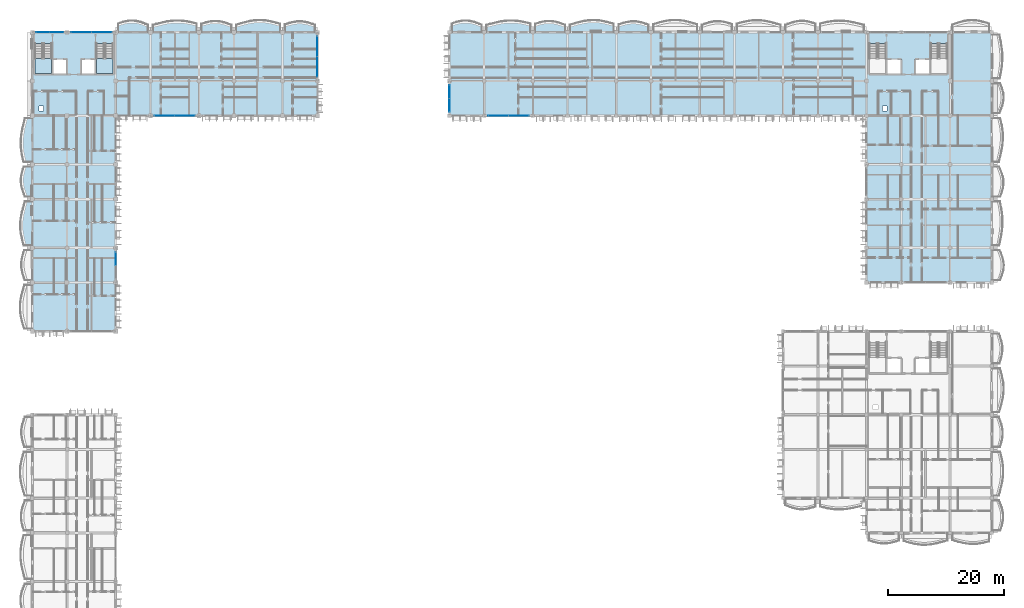
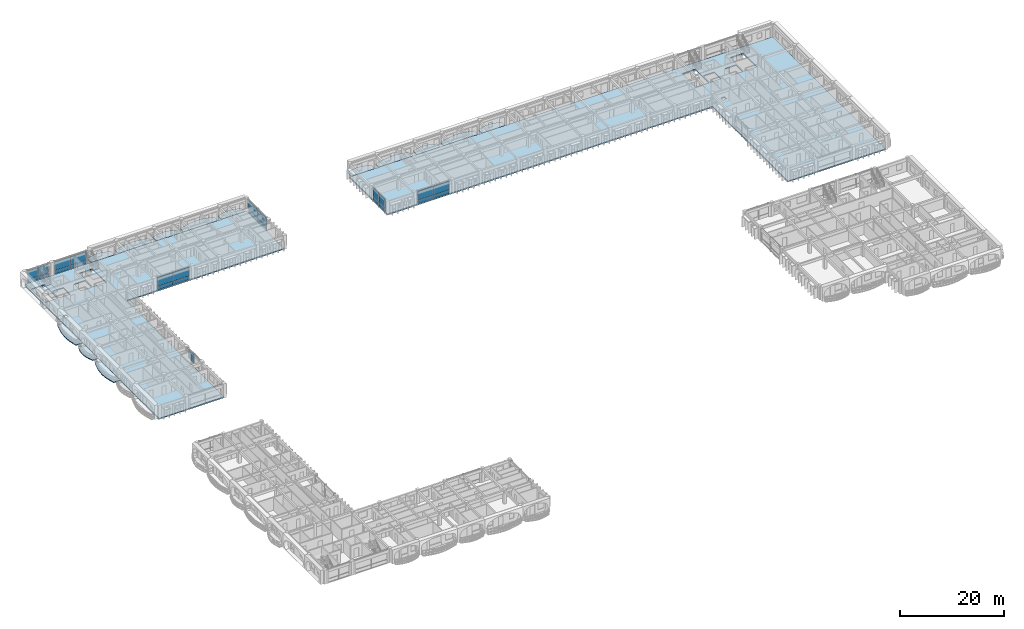
# One storey, part 22 of 79: 25 plates, 17 slabs, 9 elements without a shape of their own.
"""IFC4 building model written with IfcOpenShell, lengths in metres."""

from ifc_helpers import new_model, si_unit, direction, frame, origin, origin_2d, place, context, subcontext, project, spatial, polyline, rectangle, outline, extrude, material, layer, layer_set, type_object, element, aggregate, save


model = new_model("IFC4")

# Units and contexts
model_context = context("Model", 3, precision=1e-05, world=origin(), true_north=direction((0.0, 1.0)))
body_context = subcontext(model_context, "Body", "Model", "MODEL_VIEW")
ifc_project = project(units=[si_unit("LENGTHUNIT", "METRE"), si_unit("AREAUNIT", "SQUARE_METRE"), si_unit("VOLUMEUNIT", "CUBIC_METRE"), si_unit("PLANEANGLEUNIT", "RADIAN"), si_unit("MASSUNIT", "GRAM", prefix="KILO"), si_unit("THERMODYNAMICTEMPERATUREUNIT", "KELVIN")], contexts=[model_context])

# Site, building, storey
site_placement = place(None, origin())
site = spatial("IfcSite", under=ifc_project, at=site_placement, CompositionType="ELEMENT")
building_placement = place(site_placement, origin())
building = spatial("IfcBuilding", under=site, at=building_placement, Name="Thalorik Housing Commons", CompositionType="ELEMENT")
storey_placement = place(building_placement, frame((0.0, 0.0, 11.39990234375)))
storey = spatial("IfcBuildingStorey", under=building, at=storey_placement, Name="L03", CompositionType="ELEMENT", Elevation=11.39990234375)

# Curtain wall, plates
ifc_material_1 = material(Name="Anodised aluminium and solar-control low-E glass", Category="aluminium")
curtain_wall_type_1 = type_object("IfcCurtainWallType", Name="ARC-CW-LOUNGE", PredefinedType="USERDEFINED", material=ifc_material_1)
curtain_wall_1_placement = place(storey_placement, origin())
curtain_wall_1 = element("IfcCurtainWall", 1, at=curtain_wall_1_placement, inside=storey, type_object=curtain_wall_type_1, Name="L03 Curtain Wall CW-RES-L03-A-012", ObjectType="CURTAIN WALL", PredefinedType="USERDEFINED")
ifc_material_2 = material(Name="Cobalt blue enamelled aluminium spandrel panel", Category="aluminium")
ifc_layer_1 = layer(ifc_material_2, 0.0458984375, Name="Cobalt blue enamelled aluminium spandrel panel", Category="aluminium")
ifc_layer_set_1 = layer_set([ifc_layer_1], Name="Cobalt blue enamelled aluminium spandrel panel")
plate_type_1 = type_object("IfcPlateType", Name="ARC-CP-BLU-46", PredefinedType="CURTAIN_PANEL", material=ifc_layer_set_1)
plate_1_placement = place(storey_placement, frame((57.60009765625, 117.64990234375, 0.080078125), z_axis=(0.0, 0.0, 1.0), x_axis=(0.0, 1.0, 0.0)))
plate_1 = element("IfcPlate", 2, at=plate_1_placement, type_object=plate_type_1, Name="CW-RES-L03-A-012 Spandrel Panel 1", PredefinedType="CURTAIN_PANEL", context=body_context, shape_type="SweptSolid", body=[
    extrude(rectangle(XDim=3.43994140625, YDim=0.0458984375, at=origin_2d()), origin(), (0.0, 0.0, 1.0), 0.760009765625),
])
plate_2_placement = place(storey_placement, frame((57.60009765625, 121.14990234375, 0.080078125), z_axis=(0.0, 0.0, 1.0), x_axis=(0.0, 1.0, 0.0)))
plate_2 = element("IfcPlate", 3, at=plate_2_placement, type_object=plate_type_1, Name="CW-RES-L03-A-012 Spandrel Panel 2", PredefinedType="CURTAIN_PANEL", context=body_context, shape_type="SweptSolid", body=[
    extrude(rectangle(XDim=3.43994140625, YDim=0.0458984375, at=origin_2d()), origin(), (0.0, 0.0, 1.0), 0.760009765625),
])

curtain_wall_type_2 = type_object("IfcCurtainWallType", Name="ARC-CW-CORE", PredefinedType="USERDEFINED", material=ifc_material_1)
curtain_wall_2_placement = place(storey_placement, origin())
curtain_wall_2 = element("IfcCurtainWall", 4, at=curtain_wall_2_placement, inside=storey, type_object=curtain_wall_type_2, Name="L03 Curtain Wall CW-CORE-L03-A-014", ObjectType="CURTAIN WALL", PredefinedType="USERDEFINED")
plate_3_placement = place(storey_placement, frame((20.375, 123.60009765625, 0.080078125), z_axis=(0.0, 0.0, 1.0), x_axis=(-1.0, 0.0, 0.0)))
plate_3 = element("IfcPlate", 5, at=plate_3_placement, type_object=plate_type_1, Name="CW-CORE-L03-A-014 Spandrel Panel 1", PredefinedType="CURTAIN_PANEL", context=body_context, shape_type="SweptSolid", body=[
    extrude(rectangle(XDim=3.489990234375, YDim=0.0458984375, at=origin_2d()), origin(), (0.0, 0.0, 1.0), 0.760009765625),
])
plate_4_placement = place(storey_placement, frame((16.824951171875, 123.60009765625, 0.080078125), z_axis=(0.0, 0.0, 1.0), x_axis=(-1.0, 0.0, 0.0)))
plate_4 = element("IfcPlate", 6, at=plate_4_placement, type_object=plate_type_1, Name="CW-CORE-L03-A-014 Spandrel Panel 2", PredefinedType="CURTAIN_PANEL", context=body_context, shape_type="SweptSolid", body=[
    extrude(rectangle(XDim=3.489990234375, YDim=0.0458984375, at=origin_2d()), origin(), (0.0, 0.0, 1.0), 0.760009765625),
])

curtain_wall_3_placement = place(storey_placement, origin())
curtain_wall_3 = element("IfcCurtainWall", 7, at=curtain_wall_3_placement, inside=storey, type_object=curtain_wall_type_1, Name="L03 Curtain Wall CW-RES-L03-B-084", ObjectType="CURTAIN WALL", PredefinedType="USERDEFINED")
plate_5_placement = place(storey_placement, frame((80.39990234375, 113.35009765625, 0.080078125), z_axis=(0.0, 0.0, 1.0), x_axis=(0.0, -1.0, 0.0)))
plate_5 = element("IfcPlate", 8, at=plate_5_placement, type_object=plate_type_1, Name="CW-RES-L03-B-084 Spandrel Panel 1", PredefinedType="CURTAIN_PANEL", context=body_context, shape_type="SweptSolid", body=[
    extrude(rectangle(XDim=2.239990234375, YDim=0.0458984375, at=origin_2d()), origin(), (0.0, 0.0, 1.0), 0.760009765625),
])
plate_6_placement = place(storey_placement, frame((80.39990234375, 111.050048828125, 0.080078125), z_axis=(0.0, 0.0, 1.0), x_axis=(0.0, -1.0, 0.0)))
plate_6 = element("IfcPlate", 9, at=plate_6_placement, type_object=plate_type_1, Name="CW-RES-L03-B-084 Spandrel Panel 2", PredefinedType="CURTAIN_PANEL", context=body_context, shape_type="SweptSolid", body=[
    extrude(rectangle(XDim=2.239990234375, YDim=0.0458984375, at=origin_2d()), origin(), (0.0, 0.0, 1.0), 0.760009765625),
])

curtain_wall_4_placement = place(storey_placement, origin())
curtain_wall_4 = element("IfcCurtainWall", 10, at=curtain_wall_4_placement, inside=storey, type_object=curtain_wall_type_1, Name="L03 Curtain Wall CW-RES-L03-A-011", ObjectType="CURTAIN WALL", PredefinedType="USERDEFINED")
ifc_material_3 = material(Name="Double solar-control low-E glass", Category="glass")
ifc_layer_2 = layer(ifc_material_3, 0.028076171875, Name="Double solar-control low-E glass", Category="glass")
ifc_layer_set_2 = layer_set([ifc_layer_2], Name="Double solar-control low-E glass")
plate_type_2 = type_object("IfcPlateType", Name="ARC-CP-GLZ-28", PredefinedType="CURTAIN_PANEL", material=ifc_layer_set_2)
plate_7_placement = place(storey_placement, frame((31.25, 109.199951171875, 0.920166015625), z_axis=(0.0, 0.0, 1.0), x_axis=(1.0, 0.0, 0.0)))
plate_7 = element("IfcPlate", 11, at=plate_7_placement, type_object=plate_type_2, Name="CW-RES-L03-A-011 Vision Panel 1", PredefinedType="CURTAIN_PANEL", context=body_context, shape_type="SweptSolid", body=[
    extrude(rectangle(XDim=3.43994140625, YDim=0.028076171875, at=origin_2d()), origin(), (0.0, 0.0, 1.0), 2.0400390625),
])
plate_8_placement = place(storey_placement, frame((34.75, 109.199951171875, 0.920166015625), z_axis=(0.0, 0.0, 1.0), x_axis=(1.0, 0.0, 0.0)))
plate_8 = element("IfcPlate", 12, at=plate_8_placement, type_object=plate_type_2, Name="CW-RES-L03-A-011 Vision Panel 2", PredefinedType="CURTAIN_PANEL", context=body_context, shape_type="SweptSolid", body=[
    extrude(rectangle(XDim=3.43994140625, YDim=0.028076171875, at=origin_2d()), origin(), (0.0, 0.0, 1.0), 2.0400390625),
])

# Plate
plate_9_placement = place(storey_placement, frame((57.60009765625, 117.64990234375, 0.920166015625), z_axis=(0.0, 0.0, 1.0), x_axis=(0.0, 1.0, 0.0)))
plate_9 = element("IfcPlate", 13, at=plate_9_placement, type_object=plate_type_2, Name="CW-RES-L03-A-012 Vision Panel 1", PredefinedType="CURTAIN_PANEL", context=body_context, shape_type="SweptSolid", body=[
    extrude(rectangle(XDim=3.43994140625, YDim=0.028076171875, at=origin_2d()), origin(), (0.0, 0.0, 1.0), 2.0400390625),
])

plate_10_placement = place(storey_placement, frame((57.60009765625, 121.14990234375, 0.920166015625), z_axis=(0.0, 0.0, 1.0), x_axis=(0.0, 1.0, 0.0)))
plate_10 = element("IfcPlate", 14, at=plate_10_placement, type_object=plate_type_2, Name="CW-RES-L03-A-012 Vision Panel 2", PredefinedType="CURTAIN_PANEL", context=body_context, shape_type="SweptSolid", body=[
    extrude(rectangle(XDim=3.43994140625, YDim=0.028076171875, at=origin_2d()), origin(), (0.0, 0.0, 1.0), 2.0400390625),
])

aggregate(curtain_wall_1, [plate_1, plate_9, plate_2, plate_10])

plate_11_placement = place(storey_placement, frame((20.375, 123.60009765625, 0.920166015625), z_axis=(0.0, 0.0, 1.0), x_axis=(-1.0, 0.0, 0.0)))
plate_11 = element("IfcPlate", 15, at=plate_11_placement, type_object=plate_type_2, Name="CW-CORE-L03-A-014 Vision Panel 1", PredefinedType="CURTAIN_PANEL", context=body_context, shape_type="SweptSolid", body=[
    extrude(rectangle(XDim=3.489990234375, YDim=0.028076171875, at=origin_2d()), origin(), (0.0, 0.0, 1.0), 2.0400390625),
])

plate_12_placement = place(storey_placement, frame((16.824951171875, 123.60009765625, 0.920166015625), z_axis=(0.0, 0.0, 1.0), x_axis=(-1.0, 0.0, 0.0)))
plate_12 = element("IfcPlate", 16, at=plate_12_placement, type_object=plate_type_2, Name="CW-CORE-L03-A-014 Vision Panel 2", PredefinedType="CURTAIN_PANEL", context=body_context, shape_type="SweptSolid", body=[
    extrude(rectangle(XDim=3.489990234375, YDim=0.028076171875, at=origin_2d()), origin(), (0.0, 0.0, 1.0), 2.0400390625),
])

aggregate(curtain_wall_2, [plate_3, plate_11, plate_4, plate_12])

# Curtain wall, plates
curtain_wall_5_placement = place(storey_placement, origin())
curtain_wall_5 = element("IfcCurtainWall", 17, at=curtain_wall_5_placement, inside=storey, type_object=curtain_wall_type_2, Name="L03 Curtain Wall CW-CORE-L03-A-015", ObjectType="CURTAIN WALL", PredefinedType="USERDEFINED")
plate_13_placement = place(storey_placement, frame((12.574951171875, 123.60009765625, 0.920166015625), z_axis=(0.0, 0.0, 1.0), x_axis=(-1.0, 0.0, 0.0)))
plate_13 = element("IfcPlate", 18, at=plate_13_placement, type_object=plate_type_2, Name="CW-CORE-L03-A-015 Vision Panel 1", PredefinedType="CURTAIN_PANEL", context=body_context, shape_type="SweptSolid", body=[
    extrude(rectangle(XDim=2.2900390625, YDim=0.028076171875, at=origin_2d()), origin(), (0.0, 0.0, 1.0), 2.0400390625),
])
plate_14_placement = place(storey_placement, frame((10.22509765625, 123.60009765625, 0.920166015625), z_axis=(0.0, 0.0, 1.0), x_axis=(-1.0, 0.0, 0.0)))
plate_14 = element("IfcPlate", 19, at=plate_14_placement, type_object=plate_type_2, Name="CW-CORE-L03-A-015 Vision Panel 2", PredefinedType="CURTAIN_PANEL", context=body_context, shape_type="SweptSolid", body=[
    extrude(rectangle(XDim=2.2900390625, YDim=0.028076171875, at=origin_2d()), origin(), (0.0, 0.0, 1.0), 2.0400390625),
])

# Curtain wall, plate
curtain_wall_6_placement = place(storey_placement, origin())
curtain_wall_6 = element("IfcCurtainWall", 20, at=curtain_wall_6_placement, inside=storey, type_object=curtain_wall_type_1, Name="L03 Curtain Wall CW-RES-L03-A-017", ObjectType="CURTAIN WALL", PredefinedType="USERDEFINED")
plate_15_placement = place(storey_placement, frame((22.800048828125, 84.550048828125, 0.920166015625), z_axis=(0.0, 0.0, 1.0), x_axis=(0.0, 1.0, 0.0)))
plate_15 = element("IfcPlate", 21, at=plate_15_placement, type_object=plate_type_2, Name="CW-RES-L03-A-017 Vision Panel 2", PredefinedType="CURTAIN_PANEL", context=body_context, shape_type="SweptSolid", body=[
    extrude(rectangle(XDim=2.239990234375, YDim=0.028076171875, at=origin_2d()), origin(), (0.0, 0.0, 1.0), 2.0400390625),
])
aggregate(curtain_wall_6, [plate_15])

# Plate
plate_16_placement = place(storey_placement, frame((80.39990234375, 113.35009765625, 0.920166015625), z_axis=(0.0, 0.0, 1.0), x_axis=(0.0, -1.0, 0.0)))
plate_16 = element("IfcPlate", 22, at=plate_16_placement, type_object=plate_type_2, Name="CW-RES-L03-B-084 Vision Panel 1", PredefinedType="CURTAIN_PANEL", context=body_context, shape_type="SweptSolid", body=[
    extrude(rectangle(XDim=2.239990234375, YDim=0.028076171875, at=origin_2d()), origin(), (0.0, 0.0, 1.0), 2.0400390625),
])

plate_17_placement = place(storey_placement, frame((80.39990234375, 111.050048828125, 0.920166015625), z_axis=(0.0, 0.0, 1.0), x_axis=(0.0, -1.0, 0.0)))
plate_17 = element("IfcPlate", 23, at=plate_17_placement, type_object=plate_type_2, Name="CW-RES-L03-B-084 Vision Panel 2", PredefinedType="CURTAIN_PANEL", context=body_context, shape_type="SweptSolid", body=[
    extrude(rectangle(XDim=2.239990234375, YDim=0.028076171875, at=origin_2d()), origin(), (0.0, 0.0, 1.0), 2.0400390625),
])

aggregate(curtain_wall_3, [plate_5, plate_16, plate_6, plate_17])

# Curtain wall, plates
curtain_wall_7_placement = place(storey_placement, origin())
curtain_wall_7 = element("IfcCurtainWall", 24, at=curtain_wall_7_placement, inside=storey, type_object=curtain_wall_type_1, Name="L03 Curtain Wall CW-RES-L03-B-085", ObjectType="CURTAIN WALL", PredefinedType="USERDEFINED")
plate_18_placement = place(storey_placement, frame((88.85009765625, 109.199951171875, 0.920166015625), z_axis=(0.0, 0.0, 1.0), x_axis=(1.0, 0.0, 0.0)))
plate_18 = element("IfcPlate", 25, at=plate_18_placement, type_object=plate_type_2, Name="CW-RES-L03-B-085 Vision Panel 1", PredefinedType="CURTAIN_PANEL", context=body_context, shape_type="SweptSolid", body=[
    extrude(rectangle(XDim=3.43994140625, YDim=0.028076171875, at=origin_2d()), origin(), (0.0, 0.0, 1.0), 2.0400390625),
])
plate_19_placement = place(storey_placement, frame((92.35009765625, 109.199951171875, 0.920166015625), z_axis=(0.0, 0.0, 1.0), x_axis=(1.0, 0.0, 0.0)))
plate_19 = element("IfcPlate", 26, at=plate_19_placement, type_object=plate_type_2, Name="CW-RES-L03-B-085 Vision Panel 2", PredefinedType="CURTAIN_PANEL", context=body_context, shape_type="SweptSolid", body=[
    extrude(rectangle(XDim=3.43994140625, YDim=0.028076171875, at=origin_2d()), origin(), (0.0, 0.0, 1.0), 2.0400390625),
])
ifc_material_4 = material(Name="Oxide red enamelled aluminium spandrel panel", Category="aluminium")
ifc_layer_3 = layer(ifc_material_4, 0.0419921875, Name="Oxide red enamelled aluminium spandrel panel", Category="aluminium")
ifc_layer_set_3 = layer_set([ifc_layer_3], Name="Oxide red enamelled aluminium spandrel panel")
plate_type_3 = type_object("IfcPlateType", Name="ARC-CP-RED-42", PredefinedType="CURTAIN_PANEL", material=ifc_layer_set_3)
plate_20_placement = place(storey_placement, frame((88.85009765625, 109.199951171875, 0.080078125), z_axis=(0.0, 0.0, 1.0), x_axis=(1.0, 0.0, 0.0)))
plate_20 = element("IfcPlate", 27, at=plate_20_placement, type_object=plate_type_3, Name="CW-RES-L03-B-085 Spandrel Panel 1", PredefinedType="CURTAIN_PANEL", context=body_context, shape_type="SweptSolid", body=[
    extrude(rectangle(XDim=3.43994140625, YDim=0.0419921875, at=origin_2d()), origin(), (0.0, 0.0, 1.0), 0.760009765625),
])
plate_21_placement = place(storey_placement, frame((92.35009765625, 109.199951171875, 0.080078125), z_axis=(0.0, 0.0, 1.0), x_axis=(1.0, 0.0, 0.0)))
plate_21 = element("IfcPlate", 28, at=plate_21_placement, type_object=plate_type_3, Name="CW-RES-L03-B-085 Spandrel Panel 2", PredefinedType="CURTAIN_PANEL", context=body_context, shape_type="SweptSolid", body=[
    extrude(rectangle(XDim=3.43994140625, YDim=0.0419921875, at=origin_2d()), origin(), (0.0, 0.0, 1.0), 0.760009765625),
])
aggregate(curtain_wall_7, [plate_20, plate_18, plate_21, plate_19])

# Plate
ifc_material_5 = material(Name="Mineral ochre yellow aluminium spandrel panel", Category="aluminium")
ifc_layer_4 = layer(ifc_material_5, 0.050048828125, Name="Mineral ochre yellow aluminium spandrel panel", Category="aluminium")
ifc_layer_set_4 = layer_set([ifc_layer_4], Name="Mineral ochre yellow aluminium spandrel panel")
plate_type_4 = type_object("IfcPlateType", Name="ARC-CP-YEL-50", PredefinedType="CURTAIN_PANEL", material=ifc_layer_set_4)
plate_22_placement = place(storey_placement, frame((31.25, 109.199951171875, 0.080078125), z_axis=(0.0, 0.0, 1.0), x_axis=(1.0, 0.0, 0.0)))
plate_22 = element("IfcPlate", 29, at=plate_22_placement, type_object=plate_type_4, Name="CW-RES-L03-A-011 Spandrel Panel 1", PredefinedType="CURTAIN_PANEL", context=body_context, shape_type="SweptSolid", body=[
    extrude(rectangle(XDim=3.43994140625, YDim=0.050048828125, at=origin_2d()), origin(), (0.0, 0.0, 1.0), 0.760009765625),
])

plate_23_placement = place(storey_placement, frame((34.75, 109.199951171875, 0.080078125), z_axis=(0.0, 0.0, 1.0), x_axis=(1.0, 0.0, 0.0)))
plate_23 = element("IfcPlate", 30, at=plate_23_placement, type_object=plate_type_4, Name="CW-RES-L03-A-011 Spandrel Panel 2", PredefinedType="CURTAIN_PANEL", context=body_context, shape_type="SweptSolid", body=[
    extrude(rectangle(XDim=3.43994140625, YDim=0.050048828125, at=origin_2d()), origin(), (0.0, 0.0, 1.0), 0.760009765625),
])

aggregate(curtain_wall_4, [plate_22, plate_7, plate_23, plate_8])

plate_24_placement = place(storey_placement, frame((12.574951171875, 123.60009765625, 0.080078125), z_axis=(0.0, 0.0, 1.0), x_axis=(-1.0, 0.0, 0.0)))
plate_24 = element("IfcPlate", 31, at=plate_24_placement, type_object=plate_type_4, Name="CW-CORE-L03-A-015 Spandrel Panel 1", PredefinedType="CURTAIN_PANEL", context=body_context, shape_type="SweptSolid", body=[
    extrude(rectangle(XDim=2.2900390625, YDim=0.050048828125, at=origin_2d()), origin(), (0.0, 0.0, 1.0), 0.760009765625),
])

plate_25_placement = place(storey_placement, frame((10.22509765625, 123.60009765625, 0.080078125), z_axis=(0.0, 0.0, 1.0), x_axis=(-1.0, 0.0, 0.0)))
plate_25 = element("IfcPlate", 32, at=plate_25_placement, type_object=plate_type_4, Name="CW-CORE-L03-A-015 Spandrel Panel 2", PredefinedType="CURTAIN_PANEL", context=body_context, shape_type="SweptSolid", body=[
    extrude(rectangle(XDim=2.2900390625, YDim=0.050048828125, at=origin_2d()), origin(), (0.0, 0.0, 1.0), 0.760009765625),
])

aggregate(curtain_wall_5, [plate_24, plate_13, plate_25, plate_14])

# Stair, slab
ifc_material_6 = material(Name="Precast concrete C40/50", Category="concrete")
stair_type = type_object("IfcStairType", Name="ARC-STR-1350-R20", PredefinedType="HALF_TURN_STAIR", material=ifc_material_6)
stair_1_placement = place(storey_placement, origin())
stair_1 = element("IfcStair", 33, at=stair_1_placement, inside=storey, type_object=stair_type, Name="L03 Block A Smoke-Proof Stair 1", PredefinedType="HALF_TURN_STAIR")
ifc_layer_5 = layer(ifc_material_6, 0.199951171875, Name="Precast concrete C40/50", Category="concrete")
ifc_layer_set_5 = layer_set([ifc_layer_5], Name="Precast concrete C40/50")
slab_type_1 = type_object("IfcSlabType", Name="ARC-SLB-STLND-200", PredefinedType="LANDING", material=ifc_layer_set_5)
slab_1_placement = place(storey_placement, frame((0.0, 0.0, 1.4501953125)))
slab_1 = element("IfcSlab", 34, at=slab_1_placement, type_object=slab_type_1, Name="ST-A1 landing 1", PredefinedType="LANDING", context=body_context, shape_type="SweptSolid", body=[
    extrude(outline(polyline([(8.85009765625, 119.090087890625), (8.85009765625, 116.449951171875), (11.75, 116.449951171875), (11.75, 119.090087890625), (8.85009765625, 119.090087890625)])), origin(), (0.0, 0.0, 1.0), 0.199951171875),
])
aggregate(stair_1, [slab_1])

stair_2_placement = place(storey_placement, origin())
stair_2 = element("IfcStair", 35, at=stair_2_placement, inside=storey, type_object=stair_type, Name="L03 Block A Smoke-Proof Stair 2", PredefinedType="HALF_TURN_STAIR")
slab_2_placement = place(storey_placement, frame((0.0, 0.0, 1.4501953125)))
slab_2 = element("IfcSlab", 36, at=slab_2_placement, type_object=slab_type_1, Name="ST-A2 landing 1", PredefinedType="LANDING", context=body_context, shape_type="SweptSolid", body=[
    extrude(outline(polyline([(19.449951171875, 119.090087890625), (19.449951171875, 116.449951171875), (22.35009765625, 116.449951171875), (22.35009765625, 119.090087890625), (19.449951171875, 119.090087890625)])), origin(), (0.0, 0.0, 1.0), 0.199951171875),
])
aggregate(stair_2, [slab_2])

# Slabs
ifc_layer_6 = layer(ifc_material_6, 0.199951171875, Name="Precast concrete C40/50", Category="concrete")
ifc_layer_set_6 = layer_set([ifc_layer_6], Name="Precast concrete C40/50")
slab_type_2 = type_object("IfcSlabType", Name="STR-SLB-BALC-200", PredefinedType="FLOOR", material=ifc_layer_set_6)
slab_3_placement = place(storey_placement, frame((0.0, 0.0, -0.199951171875)))
element("IfcSlab", 37, at=slab_3_placement, inside=storey, type_object=slab_type_2, Name="L03 Block A Cushion Balcony 11", PredefinedType="FLOOR", context=body_context, shape_type="SweptSolid", body=[
    extrude(outline(polyline([(23.219970703125, 123.60009765625), (28.3798828125, 123.60009765625), (28.3798828125, 124.87841796875), (27.949951171875, 125.052978515625), (27.52001953125, 125.218994140625), (27.090087890625, 125.366455078125), (26.659912109375, 125.485595703125), (26.22998046875, 125.569091796875), (25.800048828125, 125.61181640625), (25.3701171875, 125.61181640625), (24.93994140625, 125.56982421875), (24.510009765625, 125.489013671875), (24.080078125, 125.3759765625), (23.64990234375, 125.23828125), (23.219970703125, 125.0859375), (23.219970703125, 123.60009765625)])), origin(), (0.0, 0.0, 1.0), 0.199951171875),
])
slab_4_placement = place(storey_placement, frame((0.0, 0.0, -0.199951171875)))
element("IfcSlab", 38, at=slab_4_placement, inside=storey, type_object=slab_type_2, Name="L03 Block A Cushion Balcony 13", PredefinedType="FLOOR", context=body_context, shape_type="SweptSolid", body=[
    extrude(outline(polyline([(37.6201171875, 123.60009765625), (42.780029296875, 123.60009765625), (42.780029296875, 124.850341796875), (42.35009765625, 125.009033203125), (41.919921875, 125.1611328125), (41.489990234375, 125.29638671875), (41.06005859375, 125.406005859375), (40.6298828125, 125.482421875), (40.199951171875, 125.521484375), (39.77001953125, 125.52099609375), (39.340087890625, 125.4814453125), (38.909912109375, 125.406494140625), (38.47998046875, 125.3017578125), (38.050048828125, 125.17529296875), (37.6201171875, 125.036376953125), (37.6201171875, 123.60009765625)])), origin(), (0.0, 0.0, 1.0), 0.199951171875),
])
slab_5_placement = place(storey_placement, frame((0.0, 0.0, -0.199951171875)))
element("IfcSlab", 39, at=slab_5_placement, inside=storey, type_object=slab_type_2, Name="L03 Block A Cushion Balcony 15", PredefinedType="FLOOR", context=body_context, shape_type="SweptSolid", body=[
    extrude(outline(polyline([(52.02001953125, 123.60009765625), (57.179931640625, 123.60009765625), (57.179931640625, 124.8916015625), (56.75, 125.03466796875), (56.320068359375, 125.169921875), (55.889892578125, 125.2880859375), (55.4599609375, 125.380859375), (55.030029296875, 125.44140625), (54.60009765625, 125.466064453125), (54.169921875, 125.452880859375), (53.739990234375, 125.4033203125), (53.31005859375, 125.321044921875), (52.8798828125, 125.2119140625), (52.449951171875, 125.084228515625), (52.02001953125, 124.947265625), (52.02001953125, 123.60009765625)])), origin(), (0.0, 0.0, 1.0), 0.199951171875),
])
slab_6_placement = place(storey_placement, frame((0.0, 0.0, -0.199951171875)))
element("IfcSlab", 40, at=slab_6_placement, inside=storey, type_object=slab_type_2, Name="L03 Block A Cushion Balcony 19", PredefinedType="FLOOR", context=body_context, shape_type="SweptSolid", body=[
    extrude(outline(polyline([(8.39990234375, 95.219970703125), (8.39990234375, 100.3798828125), (6.9404296875, 100.3798828125), (6.798095703125, 99.949951171875), (6.669189453125, 99.52001953125), (6.56298828125, 99.090087890625), (6.487548828125, 98.659912109375), (6.44873046875, 98.22998046875), (6.44970703125, 97.800048828125), (6.49169921875, 97.3701171875), (6.57177734375, 96.93994140625), (6.685546875, 96.510009765625), (6.825927734375, 96.080078125), (6.9833984375, 95.64990234375), (7.14794921875, 95.219970703125), (8.39990234375, 95.219970703125)])), origin(), (0.0, 0.0, 1.0), 0.199951171875),
])
slab_7_placement = place(storey_placement, frame((0.0, 0.0, -0.199951171875)))
element("IfcSlab", 41, at=slab_7_placement, inside=storey, type_object=slab_type_2, Name="L03 Block B Cushion Balcony 118", PredefinedType="FLOOR", context=body_context, shape_type="SweptSolid", body=[
    extrude(outline(polyline([(80.820068359375, 123.60009765625), (85.97998046875, 123.60009765625), (85.97998046875, 124.87841796875), (85.550048828125, 125.052978515625), (85.1201171875, 125.218994140625), (84.68994140625, 125.366455078125), (84.260009765625, 125.485595703125), (83.830078125, 125.569091796875), (83.39990234375, 125.61181640625), (82.969970703125, 125.61181640625), (82.5400390625, 125.56982421875), (82.110107421875, 125.489013671875), (81.679931640625, 125.3759765625), (81.25, 125.23828125), (80.820068359375, 125.0859375), (80.820068359375, 123.60009765625)])), origin(), (0.0, 0.0, 1.0), 0.199951171875),
])
slab_8_placement = place(storey_placement, frame((0.0, 0.0, -0.199951171875)))
element("IfcSlab", 42, at=slab_8_placement, inside=storey, type_object=slab_type_2, Name="L03 Block B Cushion Balcony 120", PredefinedType="FLOOR", context=body_context, shape_type="SweptSolid", body=[
    extrude(outline(polyline([(95.219970703125, 123.60009765625), (100.3798828125, 123.60009765625), (100.3798828125, 124.850341796875), (99.949951171875, 125.009033203125), (99.52001953125, 125.1611328125), (99.090087890625, 125.29638671875), (98.659912109375, 125.406005859375), (98.22998046875, 125.482421875), (97.800048828125, 125.521484375), (97.3701171875, 125.52099609375), (96.93994140625, 125.4814453125), (96.510009765625, 125.406494140625), (96.080078125, 125.3017578125), (95.64990234375, 125.17529296875), (95.219970703125, 125.036376953125), (95.219970703125, 123.60009765625)])), origin(), (0.0, 0.0, 1.0), 0.199951171875),
])
slab_9_placement = place(storey_placement, frame((0.0, 0.0, -0.199951171875)))
element("IfcSlab", 43, at=slab_9_placement, inside=storey, type_object=slab_type_2, Name="L03 Block B Cushion Balcony 122", PredefinedType="FLOOR", context=body_context, shape_type="SweptSolid", body=[
    extrude(outline(polyline([(109.6201171875, 123.60009765625), (114.780029296875, 123.60009765625), (114.780029296875, 124.8916015625), (114.35009765625, 125.03466796875), (113.919921875, 125.169921875), (113.489990234375, 125.2880859375), (113.06005859375, 125.380859375), (112.6298828125, 125.44140625), (112.199951171875, 125.466064453125), (111.77001953125, 125.452880859375), (111.340087890625, 125.4033203125), (110.909912109375, 125.321044921875), (110.47998046875, 125.2119140625), (110.050048828125, 125.084228515625), (109.6201171875, 124.947265625), (109.6201171875, 123.60009765625)])), origin(), (0.0, 0.0, 1.0), 0.199951171875),
])
ifc_layer_7 = layer(ifc_material_6, 0.219970703125, Name="Precast concrete C40/50", Category="concrete")
ifc_layer_set_7 = layer_set([ifc_layer_7], Name="Precast concrete C40/50")
slab_type_3 = type_object("IfcSlabType", Name="STR-SLB-BALC-220", PredefinedType="FLOOR", material=ifc_layer_set_7)
slab_10_placement = place(storey_placement, frame((0.0, 0.0, -0.219970703125)))
element("IfcSlab", 44, at=slab_10_placement, inside=storey, type_object=slab_type_3, Name="L03 Block A Cushion Balcony 12", PredefinedType="FLOOR", context=body_context, shape_type="SweptSolid", body=[
    extrude(outline(polyline([(29.219970703125, 123.60009765625), (36.780029296875, 123.60009765625), (36.780029296875, 125.08544921875), (36.14990234375, 125.24609375), (35.52001953125, 125.38720703125), (34.889892578125, 125.498779296875), (34.260009765625, 125.573974609375), (33.6298828125, 125.607177734375), (33.0, 125.596435546875), (32.3701171875, 125.543212890625), (31.739990234375, 125.45068359375), (31.110107421875, 125.32568359375), (30.47998046875, 125.177001953125), (29.85009765625, 125.0146484375), (29.219970703125, 124.85009765625), (29.219970703125, 123.60009765625)])), origin(), (0.0, 0.0, 1.0), 0.219970703125),
])
slab_11_placement = place(storey_placement, frame((0.0, 0.0, -0.219970703125)))
element("IfcSlab", 45, at=slab_11_placement, inside=storey, type_object=slab_type_3, Name="L03 Block A Cushion Balcony 14", PredefinedType="FLOOR", context=body_context, shape_type="SweptSolid", body=[
    extrude(outline(polyline([(43.6201171875, 123.60009765625), (51.179931640625, 123.60009765625), (51.179931640625, 125.03369140625), (50.550048828125, 125.216796875), (49.919921875, 125.38232421875), (49.2900390625, 125.51904296875), (48.659912109375, 125.617431640625), (48.030029296875, 125.670654296875), (47.39990234375, 125.67529296875), (46.77001953125, 125.63134765625), (46.139892578125, 125.541748046875), (45.510009765625, 125.41259765625), (44.8798828125, 125.25341796875), (44.25, 125.07470703125), (43.6201171875, 124.889404296875), (43.6201171875, 123.60009765625)])), origin(), (0.0, 0.0, 1.0), 0.219970703125),
])
slab_12_placement = place(storey_placement, frame((0.0, 0.0, -0.219970703125)))
element("IfcSlab", 46, at=slab_12_placement, inside=storey, type_object=slab_type_3, Name="L03 Block A Cushion Balcony 18", PredefinedType="FLOOR", context=body_context, shape_type="SweptSolid", body=[
    extrude(outline(polyline([(8.39990234375, 86.820068359375), (8.39990234375, 94.3798828125), (7.130859375, 94.3798828125), (6.951171875, 93.75), (6.776123046875, 93.1201171875), (6.618408203125, 92.489990234375), (6.488525390625, 91.860107421875), (6.395751953125, 91.22998046875), (6.3466796875, 90.60009765625), (6.344482421875, 89.969970703125), (6.389892578125, 89.340087890625), (6.479736328125, 88.7099609375), (6.60791015625, 88.080078125), (6.765869140625, 87.449951171875), (6.942626953125, 86.820068359375), (8.39990234375, 86.820068359375)])), origin(), (0.0, 0.0, 1.0), 0.219970703125),
])
slab_13_placement = place(storey_placement, frame((0.0, 0.0, -0.219970703125)))
element("IfcSlab", 47, at=slab_13_placement, inside=storey, type_object=slab_type_3, Name="L03 Block A Cushion Balcony 20", PredefinedType="FLOOR", context=body_context, shape_type="SweptSolid", body=[
    extrude(outline(polyline([(8.39990234375, 101.219970703125), (8.39990234375, 108.780029296875), (7.1474609375, 108.780029296875), (6.9912109375, 108.14990234375), (6.837158203125, 107.52001953125), (6.6953125, 106.889892578125), (6.575927734375, 106.260009765625), (6.48681640625, 105.6298828125), (6.4345703125, 105.0), (6.4228515625, 104.3701171875), (6.45263671875, 103.739990234375), (6.522216796875, 103.110107421875), (6.626953125, 102.47998046875), (6.760009765625, 101.85009765625), (6.912109375, 101.219970703125), (8.39990234375, 101.219970703125)])), origin(), (0.0, 0.0, 1.0), 0.219970703125),
])
slab_14_placement = place(storey_placement, frame((0.0, 0.0, -0.219970703125)))
element("IfcSlab", 48, at=slab_14_placement, inside=storey, type_object=slab_type_3, Name="L03 Block B Cushion Balcony 119", PredefinedType="FLOOR", context=body_context, shape_type="SweptSolid", body=[
    extrude(outline(polyline([(86.820068359375, 123.60009765625), (94.3798828125, 123.60009765625), (94.3798828125, 125.08544921875), (93.75, 125.24609375), (93.1201171875, 125.38720703125), (92.489990234375, 125.498779296875), (91.860107421875, 125.573974609375), (91.22998046875, 125.607177734375), (90.60009765625, 125.596435546875), (89.969970703125, 125.543212890625), (89.340087890625, 125.45068359375), (88.7099609375, 125.32568359375), (88.080078125, 125.177001953125), (87.449951171875, 125.0146484375), (86.820068359375, 124.85009765625), (86.820068359375, 123.60009765625)])), origin(), (0.0, 0.0, 1.0), 0.219970703125),
])
slab_15_placement = place(storey_placement, frame((0.0, 0.0, -0.219970703125)))
element("IfcSlab", 49, at=slab_15_placement, inside=storey, type_object=slab_type_3, Name="L03 Block B Cushion Balcony 121", PredefinedType="FLOOR", context=body_context, shape_type="SweptSolid", body=[
    extrude(outline(polyline([(101.219970703125, 123.60009765625), (108.780029296875, 123.60009765625), (108.780029296875, 125.03369140625), (108.14990234375, 125.216796875), (107.52001953125, 125.38232421875), (106.889892578125, 125.51904296875), (106.260009765625, 125.617431640625), (105.6298828125, 125.670654296875), (105.0, 125.67529296875), (104.3701171875, 125.63134765625), (103.739990234375, 125.541748046875), (103.110107421875, 125.41259765625), (102.47998046875, 125.25341796875), (101.85009765625, 125.07470703125), (101.219970703125, 124.889404296875), (101.219970703125, 123.60009765625)])), origin(), (0.0, 0.0, 1.0), 0.219970703125),
])
ifc_material_7 = material(Name="Precast concrete C45/55", Category="concrete")
ifc_layer_8 = layer(ifc_material_7, 0.260009765625, Name="Precast concrete C45/55", Category="concrete")
ifc_layer_set_8 = layer_set([ifc_layer_8], Name="Precast concrete C45/55")
slab_type_4 = type_object("IfcSlabType", Name="STR-SLB-HC-260", PredefinedType="FLOOR", material=ifc_layer_set_8)
slab_16_placement = place(storey_placement, frame((0.0, 0.0, -0.260009765625)))
element("IfcSlab", 50, at=slab_16_placement, inside=storey, type_object=slab_type_4, Name="L03 Residential Block A Floor Slab", PredefinedType="FLOOR", context=body_context, shape_type="SweptSolid", body=[
    extrude(outline(polyline([(8.39990234375, 123.60009765625), (8.39990234375, 109.199951171875), (8.39990234375, 72.0), (22.800048828125, 72.0), (22.800048828125, 109.199951171875), (57.60009765625, 109.199951171875), (57.60009765625, 123.60009765625), (8.39990234375, 123.60009765625)]), holes=[polyline([(8.85009765625, 121.64990234375), (11.75, 121.64990234375), (11.75, 116.449951171875), (8.85009765625, 116.449951171875), (8.85009765625, 121.64990234375)]), polyline([(22.35009765625, 121.64990234375), (22.35009765625, 116.449951171875), (19.449951171875, 116.449951171875), (19.449951171875, 121.64990234375), (22.35009765625, 121.64990234375)]), polyline([(14.39990234375, 119.0), (14.39990234375, 116.449951171875), (12.0, 116.449951171875), (12.0, 119.0), (14.39990234375, 119.0)]), polyline([(19.199951171875, 116.449951171875), (16.800048828125, 116.449951171875), (16.800048828125, 119.0), (19.199951171875, 119.0), (19.199951171875, 116.449951171875)]), polyline([(9.550048828125, 110.050048828125), (9.550048828125, 110.85009765625), (10.35009765625, 110.85009765625), (10.35009765625, 110.050048828125), (9.550048828125, 110.050048828125)])]), origin(), (0.0, 0.0, 1.0), 0.260009765625),
])
slab_17_placement = place(storey_placement, frame((0.0, 0.0, -0.260009765625)))
element("IfcSlab", 51, at=slab_17_placement, inside=storey, type_object=slab_type_4, Name="L03 Residential Block B Floor Slab", PredefinedType="FLOOR", context=body_context, shape_type="SweptSolid", body=[
    extrude(outline(polyline([(80.39990234375, 109.199951171875), (152.39990234375, 109.199951171875), (152.39990234375, 80.39990234375), (174.0, 80.39990234375), (174.0, 109.199951171875), (174.0, 123.60009765625), (80.39990234375, 123.60009765625), (80.39990234375, 109.199951171875)]), holes=[polyline([(152.85009765625, 121.64990234375), (155.75, 121.64990234375), (155.75, 116.449951171875), (152.85009765625, 116.449951171875), (152.85009765625, 121.64990234375)]), polyline([(166.35009765625, 121.64990234375), (166.35009765625, 116.449951171875), (163.449951171875, 116.449951171875), (163.449951171875, 121.64990234375), (166.35009765625, 121.64990234375)]), polyline([(158.39990234375, 119.0), (158.39990234375, 116.449951171875), (156.0, 116.449951171875), (156.0, 119.0), (158.39990234375, 119.0)]), polyline([(163.199951171875, 116.449951171875), (160.800048828125, 116.449951171875), (160.800048828125, 119.0), (163.199951171875, 119.0), (163.199951171875, 116.449951171875)]), polyline([(155.14990234375, 110.050048828125), (155.14990234375, 110.85009765625), (155.949951171875, 110.85009765625), (155.949951171875, 110.050048828125), (155.14990234375, 110.050048828125)])]), origin(), (0.0, 0.0, 1.0), 0.260009765625),
])

save(model, "model.ifc")
